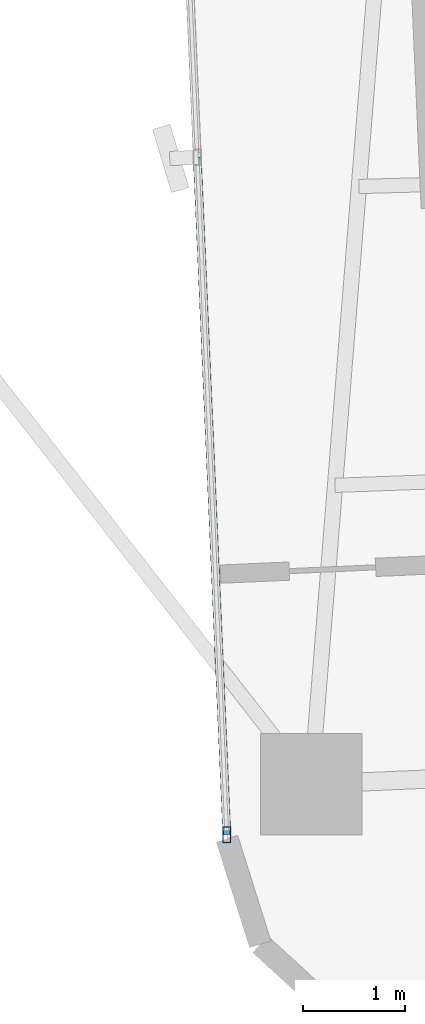
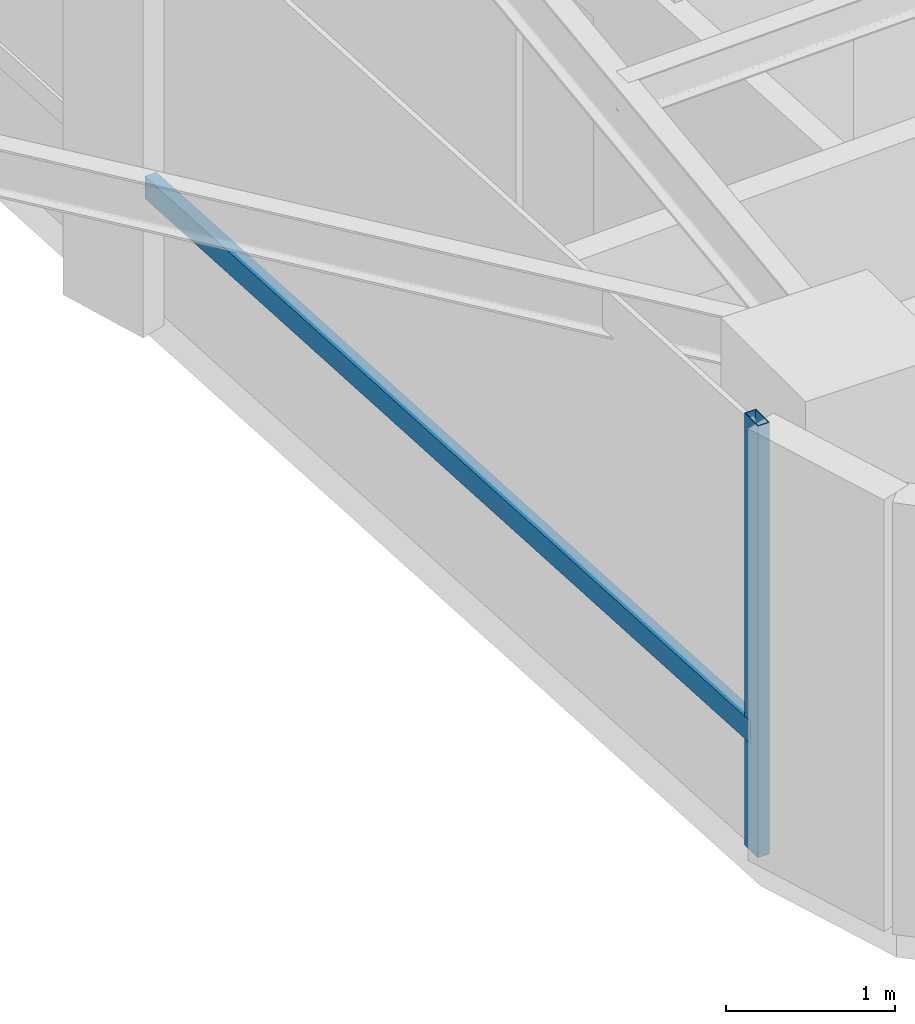
# One storey, part 2 of 26: 2 members, 1 element without a shape of its own.
"""IFC4 building model written with IfcOpenShell, lengths in metres."""

from ifc_helpers import new_model, si_unit, direction, frame, origin, origin_2d, place, context, subcontext, project, spatial, hollow_rectangle, extrude, source, transform, mapped, material, material_profile, profile_set, type_object, element, aggregate, save


model = new_model("IFC4")

# Units and contexts
model_context = context("Model", 3, precision=1e-05, world=origin(), true_north=direction((0.0, 1.0)))
body_context = subcontext(model_context, "Body", "Model", "MODEL_VIEW")
ifc_project = project(units=[si_unit("LENGTHUNIT", "METRE"), si_unit("AREAUNIT", "SQUARE_METRE"), si_unit("VOLUMEUNIT", "CUBIC_METRE"), si_unit("PLANEANGLEUNIT", "RADIAN"), si_unit("MASSUNIT", "GRAM", prefix="KILO")], contexts=[model_context])

# Site, building, storey
site_placement = place(None, origin())
site = spatial("IfcSite", under=ifc_project, at=site_placement, CompositionType="ELEMENT")
building_placement = place(site_placement, origin())
building = spatial("IfcBuilding", under=site, at=building_placement, Name="Sahyath Konkavel Grand Hotel", CompositionType="ELEMENT")
storey_placement = place(building_placement, frame((0.0, 0.0, 111.449951171875)))
storey = spatial("IfcBuildingStorey", under=building, at=storey_placement, Name="L30", CompositionType="ELEMENT", Elevation=111.449951171875)

# Curtain wall, members
ifc_material_1 = material(Name="Anodised Bronze Aluminium & Low-E Glazing", Category="aluminium")
curtain_wall_type = type_object("IfcCurtainWallType", Name="CW-ZONE2", PredefinedType="NOTDEFINED", material=ifc_material_1)
curtain_wall_placement = place(storey_placement, origin())
curtain_wall = element("IfcCurtainWall", 1, at=curtain_wall_placement, inside=storey, type_object=curtain_wall_type, Name="L30 Unitised Curtain Wall F24", PredefinedType="NOTDEFINED")
ifc_material_2 = material(Name="Anodised Bronze Aluminium", Category="aluminium")
ifc_material_profile_1 = material_profile(ifc_material_2, hollow_rectangle(XDim=0.080078125, YDim=0.159912109375, WallThickness=0.006103515625, at=origin_2d()), Name="RHS 160x80x6")
ifc_profile_set_1 = profile_set([ifc_material_profile_1], Name="Anodised Bronze Aluminium")
member_type_1 = type_object("IfcMemberType", Name="CW-MUL-160", PredefinedType="MULLION", material=ifc_profile_set_1)
shared_shape_1 = source(origin(), body_context, "Body", "SweptSolid", [
    extrude(hollow_rectangle(XDim=0.080078125, YDim=0.159912109375, WallThickness=0.006103515625, at=origin_2d()), origin(), (0.0, 0.0, 1.0), 3.110107421875),
])
member_1_placement = place(storey_placement, frame((-5.605224609375, -22.92626953125, 0.0), z_axis=(0.0, 0.0, 1.0), x_axis=(1.0, 0.0, 0.0)))
member_1 = element("IfcMember", 2, at=member_1_placement, type_object=member_type_1, Name="L30 Curtain Wall Mullion F24-2", PredefinedType="MULLION", context=body_context, shape_type="MappedRepresentation", body=[
    mapped(shared_shape_1, transform((0.0, 0.0, 0.0), scale=1.0)),
])
ifc_material_profile_2 = material_profile(ifc_material_2, hollow_rectangle(XDim=0.080078125, YDim=0.159912109375, WallThickness=0.006103515625, at=origin_2d()), Name="RHS 160x80x6")
ifc_profile_set_2 = profile_set([ifc_material_profile_2], Name="Anodised Bronze Aluminium")
member_type_2 = type_object("IfcMemberType", Name="CW-TRN-160", PredefinedType="USERDEFINED", material=ifc_profile_set_2)
shared_shape_2 = source(origin(), body_context, "Body", "SweptSolid", [
    extrude(hollow_rectangle(XDim=0.080078125, YDim=0.159912109375, WallThickness=0.006103515625, at=origin_2d()), origin(), (0.0, 0.0, 1.0), 6.659912109375),
])
member_2_placement = place(storey_placement, frame((-5.895751953125, -16.272705078125, 0.85009765625), z_axis=(0.043623350741, -0.999048048529, 0.0), x_axis=(0.999048048529, 0.043623350741, 0.0)))
member_2 = element("IfcMember", 3, at=member_2_placement, type_object=member_type_2, Name="L30 Curtain Wall Transom F24-1-spandrel", ObjectType="TRANSOM", PredefinedType="USERDEFINED", context=body_context, shape_type="MappedRepresentation", body=[
    mapped(shared_shape_2, transform((0.0, 0.0, 0.0), scale=1.0)),
])
aggregate(curtain_wall, [member_1, member_2])

save(model, "model.ifc")
